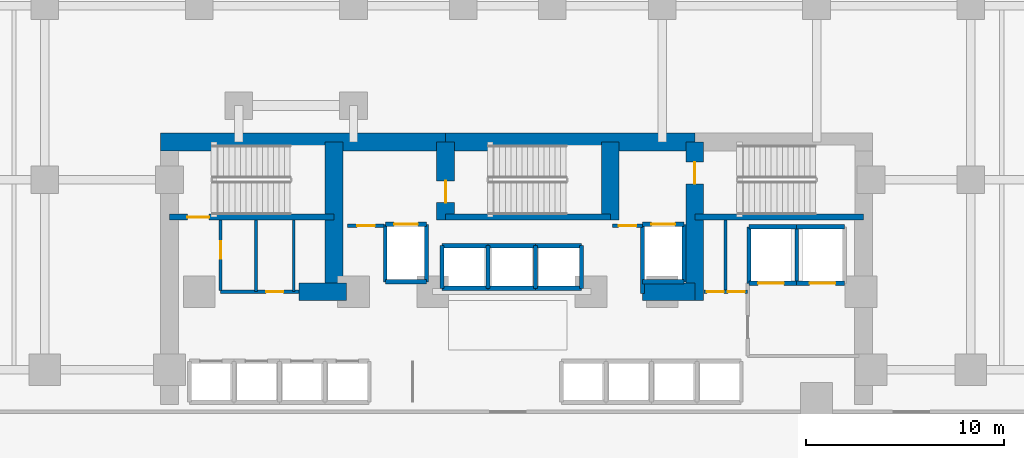
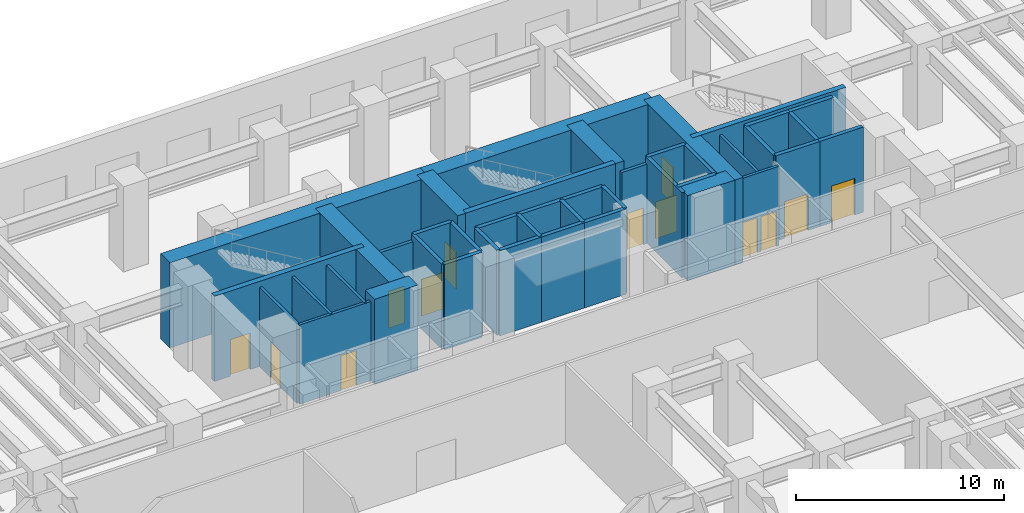
# One storey, part 14 of 19: 43 walls, 13 doors, 13 openings.
"""IFC4 building model written with IfcOpenShell, lengths in metres."""

from ifc_helpers import new_model, si_unit, direction, frame, frame_2d, origin, place, context, subcontext, project, spatial, rectangle, extrude, material, layer, layer_set, type_object, element, fill, save


model = new_model("IFC4")

# Units and contexts
model_context = context("Model", 3, precision=1e-05, world=origin(), true_north=direction((0.0, 1.0)))
body_context = subcontext(model_context, "Body", "Model", "MODEL_VIEW")
ifc_project = project(units=[si_unit("LENGTHUNIT", "METRE"), si_unit("AREAUNIT", "SQUARE_METRE"), si_unit("VOLUMEUNIT", "CUBIC_METRE"), si_unit("PLANEANGLEUNIT", "RADIAN"), si_unit("MASSUNIT", "GRAM", prefix="KILO")], contexts=[model_context])

# Site, building, storey
site_placement = place(None, origin())
site = spatial("IfcSite", under=ifc_project, at=site_placement, CompositionType="ELEMENT")
building_placement = place(site_placement, origin())
building = spatial("IfcBuilding", under=site, at=building_placement, Name="Kestravale Grand Hotel", CompositionType="ELEMENT")
storey_placement = place(building_placement, frame((0.0, 0.0, 5.39990234375)))
storey = spatial("IfcBuildingStorey", under=building, at=storey_placement, Name="L01", CompositionType="ELEMENT", Elevation=5.39990234375)

# Walls
ifc_material_1 = material(Name="Concrete f'c 70 MPa", Category="concrete")
ifc_layer_1 = layer(ifc_material_1, 0.89990234375)
ifc_layer_set_1 = layer_set([ifc_layer_1], Name="EW-CORE-900")
wall_type_1 = type_object("IfcWallType", Name="EW-CORE-900", PredefinedType="SHEAR", material=ifc_layer_set_1)
wall_1_placement = place(storey_placement, frame((21.449951171875, 40.320068359375, 0.0), z_axis=(0.0, 0.0, 1.0), x_axis=(1.0, 0.0, 0.0)))
element("IfcWall", 1, at=wall_1_placement, inside=storey, type_object=wall_type_1, Name="L01 core shear wall N1", PredefinedType="SHEAR", context=body_context, shape_type="SweptSolid", body=[
    extrude(rectangle(XDim=14.400146484375, YDim=0.89990234375, at=frame_2d((7.2001953125, 0.0))), origin(), (0.0, 0.0, 1.0), 5.0),
])
wall_2_placement = place(storey_placement, frame((35.85009765625, 40.320068359375, 0.0), z_axis=(0.0, 0.0, 1.0), x_axis=(1.0, 0.0, 0.0)))
element("IfcWall", 2, at=wall_2_placement, inside=storey, type_object=wall_type_1, Name="L01 core shear wall N2", PredefinedType="SHEAR", context=body_context, shape_type="SweptSolid", body=[
    extrude(rectangle(XDim=12.599853515625, YDim=0.89990234375, at=frame_2d((6.2998046875, 0.0))), origin(), (0.0, 0.0, 1.0), 5.0),
])
wall_3_placement = place(storey_placement, frame((28.449951171875, 32.75, 0.0), z_axis=(0.0, 0.0, 1.0), x_axis=(1.0, 0.0, 0.0)))
element("IfcWall", 3, at=wall_3_placement, inside=storey, type_object=wall_type_1, Name="L01 core shear wall S1", PredefinedType="SHEAR", context=body_context, shape_type="SweptSolid", body=[
    extrude(rectangle(XDim=2.400146484375, YDim=0.89990234375, at=frame_2d((1.2001953125, 0.0))), origin(), (0.0, 0.0, 1.0), 5.0),
])
wall_4_placement = place(storey_placement, frame((45.81005859375, 32.75, 0.0), z_axis=(0.0, 0.0, 1.0), x_axis=(1.0, 0.0, 0.0)))
element("IfcWall", 4, at=wall_4_placement, inside=storey, type_object=wall_type_1, Name="L01 core shear wall S2", PredefinedType="SHEAR", context=body_context, shape_type="SweptSolid", body=[
    extrude(rectangle(XDim=2.639892578125, YDim=0.89990234375, at=frame_2d((1.31982421875, 0.0))), origin(), (0.0, 0.0, 1.0), 5.0),
])
wall_5_placement = place(storey_placement, frame((30.219970703125, 33.199951171875, 0.0), z_axis=(0.0, 0.0, 1.0), x_axis=(0.0, 1.0, 0.0)))
element("IfcWall", 5, at=wall_5_placement, inside=storey, type_object=wall_type_1, Name="L01 core shear wall X1", PredefinedType="SHEAR", context=body_context, shape_type="SweptSolid", body=[
    extrude(rectangle(XDim=7.1201171875, YDim=0.89990234375, at=frame_2d((3.56005859375, 0.0))), origin(), (0.0, 0.0, 1.0), 5.0),
])

# Wall, opening, door
wall_6_placement = place(storey_placement, frame((35.85009765625, 36.3701171875, 0.0), z_axis=(0.0, 0.0, 1.0), x_axis=(0.0, 1.0, 0.0)))
wall_6 = element("IfcWall", 6, at=wall_6_placement, inside=storey, type_object=wall_type_1, Name="L01 core shear wall X2", PredefinedType="SHEAR", context=body_context, shape_type="SweptSolid", body=[
    extrude(rectangle(XDim=3.949951171875, YDim=0.89990234375, at=frame_2d((1.97509765625, 0.0))), origin(), (0.0, 0.0, 1.0), 5.0),
])
opening_1_placement = place(wall_6_placement, frame((0.8798828125, 0.0, 0.0)))
opening_1 = element("IfcOpeningElement", 7, at=opening_1_placement, cuts=wall_6, Name="Opening D-ST-1100", PredefinedType="OPENING", context=body_context, shape_type="SweptSolid", body=[
    extrude(rectangle(XDim=1.10009765625, YDim=2.14990234375, at=frame_2d((0.550048828125, 1.074951171875))), frame((0.0, 0.4599609375, 0.0), z_axis=(0.0, -1.0, 0.0), x_axis=(1.0, 0.0, 0.0)), (0.0, 0.0, 1.0), 0.919921875),
])
ifc_material_2 = material(Name="Galvanised 90-minute fire-rated steel stair door", Category="steel")
door_type_1 = type_object("IfcDoorType", Name="D-ST-1100", OperationType="NOTDEFINED", PredefinedType="DOOR", material=ifc_material_2)
door_1_placement = place(opening_1_placement, origin())
door_1 = element("IfcDoor", 8, at=door_1_placement, inside=storey, type_object=door_type_1, Name="L01 Stair ST-2 FSAE fire door", OperationType="SINGLE_SWING_RIGHT", OverallHeight=2.14990234375, OverallWidth=1.10009765625, PredefinedType="DOOR", context=body_context, shape_type="SweptSolid", body=[
    extrude(rectangle(XDim=1.10009765625, YDim=2.14990234375, at=frame_2d((0.550048828125, 1.074951171875))), frame((0.0, 0.02490234375, 0.0), z_axis=(0.0, -1.0, 0.0), x_axis=(1.0, 0.0, 0.0)), (0.0, 0.0, 1.0), 0.050048828125),
])
fill(opening_1, door_1)

# Wall
wall_7_placement = place(storey_placement, frame((44.179931640625, 36.3701171875, 0.0), z_axis=(0.0, 0.0, 1.0), x_axis=(0.0, 1.0, 0.0)))
element("IfcWall", 9, at=wall_7_placement, inside=storey, type_object=wall_type_1, Name="L01 core shear wall X3", PredefinedType="SHEAR", context=body_context, shape_type="SweptSolid", body=[
    extrude(rectangle(XDim=3.949951171875, YDim=0.89990234375, at=frame_2d((1.97509765625, 0.0))), origin(), (0.0, 0.0, 1.0), 5.0),
])

# Wall, opening, door
wall_8_placement = place(storey_placement, frame((48.449951171875, 32.300048828125, 0.0), z_axis=(0.0, 0.0, 1.0), x_axis=(0.0, 1.0, 0.0)))
wall_8 = element("IfcWall", 10, at=wall_8_placement, inside=storey, type_object=wall_type_1, Name="L01 core shear wall X4", PredefinedType="SHEAR", context=body_context, shape_type="SweptSolid", body=[
    extrude(rectangle(XDim=8.02001953125, YDim=0.89990234375, at=frame_2d((4.010009765625, 0.0))), origin(), (0.0, 0.0, 1.0), 5.0),
])
opening_2_placement = place(wall_8_placement, frame((5.89990234375, 0.0, 0.0)))
opening_2 = element("IfcOpeningElement", 11, at=opening_2_placement, cuts=wall_8, Name="Opening D-ST-1100", PredefinedType="OPENING", context=body_context, shape_type="SweptSolid", body=[
    extrude(rectangle(XDim=1.10009765625, YDim=2.14990234375, at=frame_2d((0.550048828125, 1.074951171875))), frame((0.0, 0.4599609375, 0.0), z_axis=(0.0, -1.0, 0.0), x_axis=(1.0, 0.0, 0.0)), (0.0, 0.0, 1.0), 0.919921875),
])
door_2_placement = place(opening_2_placement, origin())
door_2 = element("IfcDoor", 12, at=door_2_placement, inside=storey, type_object=door_type_1, Name="L01 Stair ST-3 FSAE fire door", OperationType="SINGLE_SWING_RIGHT", OverallHeight=2.14990234375, OverallWidth=1.10009765625, PredefinedType="DOOR", context=body_context, shape_type="SweptSolid", body=[
    extrude(rectangle(XDim=1.10009765625, YDim=2.14990234375, at=frame_2d((0.550048828125, 1.074951171875))), frame((0.0, 0.02490234375, 0.0), z_axis=(0.0, -1.0, 0.0), x_axis=(1.0, 0.0, 0.0)), (0.0, 0.0, 1.0), 0.050048828125),
])
fill(opening_2, door_2)

ifc_material_3 = material(Name="Concrete f'c 45 MPa", Category="concrete")
ifc_layer_2 = layer(ifc_material_3, 0.300048828125)
ifc_layer_set_2 = layer_set([ifc_layer_2], Name="EW-STAIR-300")
wall_type_2 = type_object("IfcWallType", Name="EW-STAIR-300", PredefinedType="SHEAR", material=ifc_layer_set_2)
wall_9_placement = place(storey_placement, frame((21.89990234375, 36.52001953125, 0.0), z_axis=(0.0, 0.0, 1.0), x_axis=(1.0, 0.0, 0.0)))
wall_9 = element("IfcWall", 13, at=wall_9_placement, inside=storey, type_object=wall_type_2, Name="L01 stair enclosure shear wall SST1", PredefinedType="SHEAR", context=body_context, shape_type="SweptSolid", body=[
    extrude(rectangle(XDim=8.320068359375, YDim=0.300048828125, at=frame_2d((4.16015625, 0.0))), origin(), (0.0, 0.0, 1.0), 5.0),
])
opening_3_placement = place(wall_9_placement, frame((0.89990234375, 0.0, 0.0)))
opening_3 = element("IfcOpeningElement", 14, at=opening_3_placement, cuts=wall_9, Name="Opening D-ST-1100", PredefinedType="OPENING", context=body_context, shape_type="SweptSolid", body=[
    extrude(rectangle(XDim=1.10009765625, YDim=2.14990234375, at=frame_2d((0.550048828125, 1.074951171875))), frame((0.0, 0.159912109375, 0.0), z_axis=(0.0, -1.0, 0.0), x_axis=(1.0, 0.0, 0.0)), (0.0, 0.0, 1.0), 0.320068359375),
])
door_3_placement = place(opening_3_placement, origin())
door_3 = element("IfcDoor", 15, at=door_3_placement, inside=storey, type_object=door_type_1, Name="L01 Stair ST-1 fire door", OperationType="SINGLE_SWING_RIGHT", OverallHeight=2.14990234375, OverallWidth=1.10009765625, PredefinedType="DOOR", context=body_context, shape_type="SweptSolid", body=[
    extrude(rectangle(XDim=1.10009765625, YDim=2.14990234375, at=frame_2d((0.550048828125, 1.074951171875))), frame((0.0, 0.02490234375, 0.0), z_axis=(0.0, -1.0, 0.0), x_axis=(1.0, 0.0, 0.0)), (0.0, 0.0, 1.0), 0.050048828125),
])
fill(opening_3, door_3)

# Walls
wall_10_placement = place(storey_placement, frame((35.85009765625, 36.52001953125, 0.0), z_axis=(0.0, 0.0, 1.0), x_axis=(1.0, 0.0, 0.0)))
element("IfcWall", 16, at=wall_10_placement, inside=storey, type_object=wall_type_2, Name="L01 stair enclosure shear wall SST2", PredefinedType="SHEAR", context=body_context, shape_type="SweptSolid", body=[
    extrude(rectangle(XDim=8.329833984375, YDim=0.300048828125, at=frame_2d((4.1650390625, 0.0))), origin(), (0.0, 0.0, 1.0), 5.0),
])
wall_11_placement = place(storey_placement, frame((48.449951171875, 36.52001953125, 0.0), z_axis=(0.0, 0.0, 1.0), x_axis=(1.0, 0.0, 0.0)))
element("IfcWall", 17, at=wall_11_placement, inside=storey, type_object=wall_type_2, Name="L01 stair enclosure shear wall SST3", PredefinedType="SHEAR", context=body_context, shape_type="SweptSolid", body=[
    extrude(rectangle(XDim=8.52001953125, YDim=0.300048828125, at=frame_2d((4.260009765625, 0.0))), origin(), (0.0, 0.0, 1.0), 5.0),
])

# Wall, opening, door
ifc_material_4 = material(Name="Acoustic fire-rated gypsum board partition", Category="other")
ifc_layer_3 = layer(ifc_material_4, 0.159912109375)
ifc_layer_set_3 = layer_set([ifc_layer_3], Name="IW-CORR-160")
wall_type_3 = type_object("IfcWallType", Name="IW-CORR-160", PredefinedType="PARTITIONING", material=ifc_layer_set_3)
wall_12_placement = place(storey_placement, frame((24.47998046875, 32.800048828125, 0.0), z_axis=(0.0, 0.0, 1.0), x_axis=(0.0, 1.0, 0.0)))
wall_12 = element("IfcWall", 18, at=wall_12_placement, inside=storey, type_object=wall_type_3, Name="L01 west core vestibule wall", PredefinedType="PARTITIONING", context=body_context, shape_type="SweptSolid", body=[
    extrude(rectangle(XDim=3.570068359375, YDim=0.159912109375, at=frame_2d((1.78515625, 0.0))), origin(), (0.0, 0.0, 1.0), 4.650146484375),
])
opening_4_placement = place(wall_12_placement, frame((1.603515625, 0.0, 0.0)))
opening_4 = element("IfcOpeningElement", 19, at=opening_4_placement, cuts=wall_12, Name="Opening D-SH-900", PredefinedType="OPENING", context=body_context, shape_type="SweptSolid", body=[
    extrude(rectangle(XDim=0.89990234375, YDim=2.10009765625, at=frame_2d((0.449951171875, 1.050048828125))), frame((0.0, 0.08984375, 0.0), z_axis=(0.0, -1.0, 0.0), x_axis=(1.0, 0.0, 0.0)), (0.0, 0.0, 1.0), 0.179931640625),
])
ifc_material_5 = material(Name="Galvanised 90-minute shaft and service fire door", Category="steel")
door_type_2 = type_object("IfcDoorType", Name="D-SH-900", OperationType="NOTDEFINED", PredefinedType="DOOR", material=ifc_material_5)
door_4_placement = place(opening_4_placement, origin())
door_4 = element("IfcDoor", 20, at=door_4_placement, inside=storey, type_object=door_type_2, Name="D-L01-HK", OperationType="SINGLE_SWING_RIGHT", OverallHeight=2.10009765625, OverallWidth=0.89990234375, PredefinedType="DOOR", context=body_context, shape_type="SweptSolid", body=[
    extrude(rectangle(XDim=0.89990234375, YDim=2.10009765625, at=frame_2d((0.449951171875, 1.050048828125))), frame((0.0, 0.02490234375, 0.0), z_axis=(0.0, -1.0, 0.0), x_axis=(1.0, 0.0, 0.0)), (0.0, 0.0, 1.0), 0.050048828125),
])
fill(opening_4, door_4)

wall_13_placement = place(storey_placement, frame((24.47998046875, 32.75, 0.0), z_axis=(0.0, 0.0, 1.0), x_axis=(1.0, 0.0, 0.0)))
wall_13 = element("IfcWall", 21, at=wall_13_placement, inside=storey, type_object=wall_type_3, Name="W-L01-CWS", PredefinedType="PARTITIONING", context=body_context, shape_type="SweptSolid", body=[
    extrude(rectangle(XDim=3.969970703125, YDim=0.159912109375, at=frame_2d((1.98486328125, 0.0))), origin(), (0.0, 0.0, 1.0), 4.650146484375),
])
opening_5_placement = place(wall_13_placement, frame((2.31005859375, 0.0, 0.0)))
opening_5 = element("IfcOpeningElement", 22, at=opening_5_placement, cuts=wall_13, Name="Opening D-SH-860", PredefinedType="OPENING", context=body_context, shape_type="SweptSolid", body=[
    extrude(rectangle(XDim=0.860107421875, YDim=2.050048828125, at=frame_2d((0.43017578125, 1.02490234375))), frame((0.0, 0.08984375, 0.0), z_axis=(0.0, -1.0, 0.0), x_axis=(1.0, 0.0, 0.0)), (0.0, 0.0, 1.0), 0.179931640625),
])
ifc_material_6 = material(Name="Galvanised 90-minute riser fire door", Category="steel")
door_type_3 = type_object("IfcDoorType", Name="D-SH-860", OperationType="NOTDEFINED", PredefinedType="DOOR", material=ifc_material_6)
door_5_placement = place(opening_5_placement, origin())
door_5 = element("IfcDoor", 23, at=door_5_placement, inside=storey, type_object=door_type_3, Name="D-L01-IDF", OperationType="SINGLE_SWING_RIGHT", OverallHeight=2.050048828125, OverallWidth=0.860107421875, PredefinedType="DOOR", context=body_context, shape_type="SweptSolid", body=[
    extrude(rectangle(XDim=0.860107421875, YDim=2.050048828125, at=frame_2d((0.43017578125, 1.02490234375))), frame((0.0, 0.02490234375, 0.0), z_axis=(0.0, -1.0, 0.0), x_axis=(1.0, 0.0, 0.0)), (0.0, 0.0, 1.0), 0.050048828125),
])
fill(opening_5, door_5)

# Wall, openings, doors
wall_14_placement = place(storey_placement, frame((48.919921875, 32.75, 0.0), z_axis=(0.0, 0.0, 1.0), x_axis=(1.0, 0.0, 0.0)))
wall_14 = element("IfcWall", 24, at=wall_14_placement, inside=storey, type_object=wall_type_3, Name="W-L01-CES", PredefinedType="PARTITIONING", context=body_context, shape_type="SweptSolid", body=[
    extrude(rectangle(XDim=2.2001953125, YDim=0.159912109375, at=frame_2d((1.10009765625, 0.0))), origin(), (0.0, 0.0, 1.0), 4.650146484375),
])
opening_6_placement = place(wall_14_placement, frame((0.139892578125, 0.0, 0.0)))
opening_6 = element("IfcOpeningElement", 25, at=opening_6_placement, cuts=wall_14, Name="Opening D-SH-860", PredefinedType="OPENING", context=body_context, shape_type="SweptSolid", body=[
    extrude(rectangle(XDim=0.860107421875, YDim=2.050048828125, at=frame_2d((0.43017578125, 1.02490234375))), frame((0.0, 0.08984375, 0.0), z_axis=(0.0, -1.0, 0.0), x_axis=(1.0, 0.0, 0.0)), (0.0, 0.0, 1.0), 0.179931640625),
])
opening_7_placement = place(wall_14_placement, frame((1.199951171875, 0.0, 0.0)))
opening_7 = element("IfcOpeningElement", 26, at=opening_7_placement, cuts=wall_14, Name="Opening D-SH-860", PredefinedType="OPENING", context=body_context, shape_type="SweptSolid", body=[
    extrude(rectangle(XDim=0.860107421875, YDim=2.050048828125, at=frame_2d((0.43017578125, 1.02490234375))), frame((0.0, 0.08984375, 0.0), z_axis=(0.0, -1.0, 0.0), x_axis=(1.0, 0.0, 0.0)), (0.0, 0.0, 1.0), 0.179931640625),
])
door_6_placement = place(opening_6_placement, origin())
door_6 = element("IfcDoor", 27, at=door_6_placement, inside=storey, type_object=door_type_3, Name="L01 CSTO1 door", OperationType="SINGLE_SWING_LEFT", OverallHeight=2.050048828125, OverallWidth=0.860107421875, PredefinedType="DOOR", context=body_context, shape_type="SweptSolid", body=[
    extrude(rectangle(XDim=0.860107421875, YDim=2.050048828125, at=frame_2d((0.43017578125, 1.02490234375))), frame((0.0, 0.02490234375, 0.0), z_axis=(0.0, -1.0, 0.0), x_axis=(1.0, 0.0, 0.0)), (0.0, 0.0, 1.0), 0.050048828125),
])
fill(opening_6, door_6)
door_7_placement = place(opening_7_placement, origin())
door_7 = element("IfcDoor", 28, at=door_7_placement, inside=storey, type_object=door_type_3, Name="L01 CSTO2 door", OperationType="SINGLE_SWING_RIGHT", OverallHeight=2.050048828125, OverallWidth=0.860107421875, PredefinedType="DOOR", context=body_context, shape_type="SweptSolid", body=[
    extrude(rectangle(XDim=0.860107421875, YDim=2.050048828125, at=frame_2d((0.43017578125, 1.02490234375))), frame((0.0, 0.02490234375, 0.0), z_axis=(0.0, -1.0, 0.0), x_axis=(1.0, 0.0, 0.0)), (0.0, 0.0, 1.0), 0.050048828125),
])
fill(opening_7, door_7)

# Wall, opening, door
ifc_material_7 = material(Name="Fire-rated gypsum board on steel studs with mineral wool", Category="steel")
ifc_layer_4 = layer(ifc_material_7, 0.179931640625)
ifc_layer_set_4 = layer_set([ifc_layer_4], Name="IW-FSAE-180")
wall_type_4 = type_object("IfcWallType", Name="IW-FSAE-180", PredefinedType="PARTITIONING", material=ifc_layer_set_4)
wall_15_placement = place(storey_placement, frame((30.89990234375, 36.080078125, 0.0), z_axis=(0.0, 0.0, 1.0), x_axis=(1.0, 0.0, 0.0)))
wall_15 = element("IfcWall", 29, at=wall_15_placement, inside=storey, type_object=wall_type_4, Name="L01 FSAE Lobby 1 smoke barrier", PredefinedType="PARTITIONING", context=body_context, shape_type="SweptSolid", body=[
    extrude(rectangle(XDim=1.85009765625, YDim=0.179931640625, at=frame_2d((0.925048828125, 0.0))), origin(), (0.0, 0.0, 1.0), 4.650146484375),
])
opening_8_placement = place(wall_15_placement, frame((0.47998046875, 0.0, 0.0)))
opening_8 = element("IfcOpeningElement", 30, at=opening_8_placement, cuts=wall_15, Name="Opening D-FSAE-1000", PredefinedType="OPENING", context=body_context, shape_type="SweptSolid", body=[
    extrude(rectangle(XDim=0.89990234375, YDim=2.14990234375, at=frame_2d((0.449951171875, 1.074951171875))), frame((0.0, 0.099853515625, 0.0), z_axis=(0.0, -1.0, 0.0), x_axis=(1.0, 0.0, 0.0)), (0.0, 0.0, 1.0), 0.199951171875),
])
ifc_material_8 = material(Name="Smoke-gasketed FSAE lobby fire door", Category="steel")
door_type_4 = type_object("IfcDoorType", Name="D-FSAE-1000", OperationType="NOTDEFINED", PredefinedType="DOOR", material=ifc_material_8)
door_8_placement = place(opening_8_placement, origin())
door_8 = element("IfcDoor", 31, at=door_8_placement, inside=storey, type_object=door_type_4, Name="L01 FSAE Lobby 1 fire door", OperationType="SINGLE_SWING_RIGHT", OverallHeight=2.14990234375, OverallWidth=0.89990234375, PredefinedType="DOOR", context=body_context, shape_type="SweptSolid", body=[
    extrude(rectangle(XDim=0.89990234375, YDim=2.14990234375, at=frame_2d((0.449951171875, 1.074951171875))), frame((0.0, 0.02490234375, 0.0), z_axis=(0.0, -1.0, 0.0), x_axis=(1.0, 0.0, 0.0)), (0.0, 0.0, 1.0), 0.050048828125),
])
fill(opening_8, door_8)

wall_16_placement = place(storey_placement, frame((44.300048828125, 36.080078125, 0.0), z_axis=(0.0, 0.0, 1.0), x_axis=(1.0, 0.0, 0.0)))
wall_16 = element("IfcWall", 32, at=wall_16_placement, inside=storey, type_object=wall_type_4, Name="L01 FSAE Lobby 2 smoke barrier", PredefinedType="PARTITIONING", context=body_context, shape_type="SweptSolid", body=[
    extrude(rectangle(XDim=1.5, YDim=0.179931640625, at=frame_2d((0.75, 0.0))), origin(), (0.0, 0.0, 1.0), 4.650146484375),
])
opening_9_placement = place(wall_16_placement, frame((0.300048828125, 0.0, 0.0)))
opening_9 = element("IfcOpeningElement", 33, at=opening_9_placement, cuts=wall_16, Name="Opening D-FSAE-1000", PredefinedType="OPENING", context=body_context, shape_type="SweptSolid", body=[
    extrude(rectangle(XDim=0.89990234375, YDim=2.14990234375, at=frame_2d((0.449951171875, 1.074951171875))), frame((0.0, 0.099853515625, 0.0), z_axis=(0.0, -1.0, 0.0), x_axis=(1.0, 0.0, 0.0)), (0.0, 0.0, 1.0), 0.199951171875),
])
door_9_placement = place(opening_9_placement, origin())
door_9 = element("IfcDoor", 34, at=door_9_placement, inside=storey, type_object=door_type_4, Name="L01 FSAE Lobby 2 fire door", OperationType="SINGLE_SWING_LEFT", OverallHeight=2.14990234375, OverallWidth=0.89990234375, PredefinedType="DOOR", context=body_context, shape_type="SweptSolid", body=[
    extrude(rectangle(XDim=0.89990234375, YDim=2.14990234375, at=frame_2d((0.449951171875, 1.074951171875))), frame((0.0, 0.02490234375, 0.0), z_axis=(0.0, -1.0, 0.0), x_axis=(1.0, 0.0, 0.0)), (0.0, 0.0, 1.0), 0.050048828125),
])
fill(opening_9, door_9)

# Walls
ifc_material_9 = material(Name="Concrete f'c 45 MPa", Category="concrete")
ifc_layer_5 = layer(ifc_material_9, 0.199951171875)
ifc_layer_set_5 = layer_set([ifc_layer_5], Name="IW-SHAFT-200")
wall_type_5 = type_object("IfcWallType", Name="IW-SHAFT-200", PredefinedType="SHEAR", material=ifc_layer_set_5)
for number, where, z_axis, x_axis, name in (
    (35, (35.679931640625, 32.919921875, 0.0), (0.0, 0.0, 1.0), (0.0, 1.0, 0.0), "L01 PL-X1 west shaft wall"),
    (36, (38.0, 32.919921875, 0.0), (0.0, 0.0, 1.0), (0.0, 1.0, 0.0), "L01 PL-X2 west shaft wall"),
    (37, (40.39990234375, 32.919921875, 0.0), (0.0, 0.0, 1.0), (0.0, 1.0, 0.0), "L01 PL-X3 west shaft wall"),
    (38, (42.719970703125, 32.919921875, 0.0), (0.0, 0.0, 1.0), (0.0, 1.0, 0.0), "L01 PL-X3 east shaft wall"),
):
    element("IfcWall", number, at=place(storey_placement, frame(where, z_axis=z_axis, x_axis=x_axis)), inside=storey, type_object=wall_type_5, Name=name, PredefinedType="SHEAR", context=body_context, shape_type="SweptSolid", body=[
        extrude(rectangle(XDim=2.16015625, YDim=0.199951171875, at=frame_2d((1.080078125, 0.0))), origin(), (0.0, 0.0, 1.0), 5.0),
    ])
for number, where, z_axis, x_axis, name in (
    (39, (51.179931640625, 33.169921875, 0.0), (0.0, 0.0, 1.0), (0.0, 1.0, 0.0), "L01 SL-1 west shaft wall"),
    (40, (53.60009765625, 33.169921875, 0.0), (0.0, 0.0, 1.0), (0.0, 1.0, 0.0), "L01 SL-2 west shaft wall"),
):
    element("IfcWall", number, at=place(storey_placement, frame(where, z_axis=z_axis, x_axis=x_axis)), inside=storey, type_object=wall_type_5, Name=name, PredefinedType="SHEAR", context=body_context, shape_type="SweptSolid", body=[
        extrude(rectangle(XDim=2.860107421875, YDim=0.199951171875, at=frame_2d((1.43017578125, 0.0))), origin(), (0.0, 0.0, 1.0), 5.0),
    ])
for number, where, z_axis, x_axis, name in (
    (41, (32.804931640625, 33.2451171875, 0.0), (0.0, 0.0, 1.0), (0.0, 1.0, 0.0), "L01 FL-1 west shaft wall"),
    (42, (34.89501953125, 33.2451171875, 0.0), (0.0, 0.0, 1.0), (0.0, 1.0, 0.0), "L01 FL-1 east shaft wall"),
):
    element("IfcWall", number, at=place(storey_placement, frame(where, z_axis=z_axis, x_axis=x_axis)), inside=storey, type_object=wall_type_5, Name=name, PredefinedType="SHEAR", context=body_context, shape_type="SweptSolid", body=[
        extrude(rectangle(XDim=2.909912109375, YDim=0.199951171875, at=frame_2d((1.455078125, 0.0))), origin(), (0.0, 0.0, 1.0), 5.0),
    ])
wall_17_placement = place(storey_placement, frame((45.804931640625, 32.64990234375, 0.0), z_axis=(0.0, 0.0, 1.0), x_axis=(0.0, 1.0, 0.0)))
element("IfcWall", 43, at=wall_17_placement, inside=storey, type_object=wall_type_5, Name="L01 FL-2 west shaft wall", PredefinedType="SHEAR", context=body_context, shape_type="SweptSolid", body=[
    extrude(rectangle(XDim=3.505126953125, YDim=0.199951171875, at=frame_2d((1.75244140625, 0.0))), origin(), (0.0, 0.0, 1.0), 5.0),
])
wall_18_placement = place(storey_placement, frame((47.89501953125, 33.2451171875, 0.0), z_axis=(0.0, 0.0, 1.0), x_axis=(0.0, 1.0, 0.0)))
element("IfcWall", 44, at=wall_18_placement, inside=storey, type_object=wall_type_5, Name="L01 FL-2 east shaft wall", PredefinedType="SHEAR", context=body_context, shape_type="SweptSolid", body=[
    extrude(rectangle(XDim=2.909912109375, YDim=0.199951171875, at=frame_2d((1.455078125, 0.0))), origin(), (0.0, 0.0, 1.0), 5.0),
])
ifc_material_10 = material(Name="Concrete f'c 45 MPa", Category="concrete")
ifc_layer_6 = layer(ifc_material_10, 0.219970703125)
ifc_layer_set_6 = layer_set([ifc_layer_6], Name="IW-SHAFT-220")
wall_type_6 = type_object("IfcWallType", Name="IW-SHAFT-220", PredefinedType="SHEAR", material=ifc_layer_set_6)
for number, where, z_axis, x_axis, name in (
    (45, (35.679931640625, 35.080078125, 0.0), (0.0, 0.0, 1.0), (1.0, 0.0, 0.0), "L01 PL-X1 north shaft wall"),
    (46, (35.679931640625, 32.919921875, 0.0), (0.0, 0.0, 1.0), (1.0, 0.0, 0.0), "L01 PL-X1 south shaft wall"),
):
    element("IfcWall", number, at=place(storey_placement, frame(where, z_axis=z_axis, x_axis=x_axis)), inside=storey, type_object=wall_type_6, Name=name, PredefinedType="SHEAR", context=body_context, shape_type="SweptSolid", body=[
        extrude(rectangle(XDim=2.320068359375, YDim=0.219970703125, at=frame_2d((1.16015625, 0.0))), origin(), (0.0, 0.0, 1.0), 5.0),
    ])
for number, where, z_axis, x_axis, name in (
    (47, (38.0, 35.080078125, 0.0), (0.0, 0.0, 1.0), (1.0, 0.0, 0.0), "L01 PL-X2 north shaft wall"),
    (48, (38.0, 32.919921875, 0.0), (0.0, 0.0, 1.0), (1.0, 0.0, 0.0), "L01 PL-X2 south shaft wall"),
):
    element("IfcWall", number, at=place(storey_placement, frame(where, z_axis=z_axis, x_axis=x_axis)), inside=storey, type_object=wall_type_6, Name=name, PredefinedType="SHEAR", context=body_context, shape_type="SweptSolid", body=[
        extrude(rectangle(XDim=2.39990234375, YDim=0.219970703125, at=frame_2d((1.199951171875, 0.0))), origin(), (0.0, 0.0, 1.0), 5.0),
    ])
for number, where, z_axis, x_axis, name in (
    (49, (40.39990234375, 35.080078125, 0.0), (0.0, 0.0, 1.0), (1.0, 0.0, 0.0), "L01 PL-X3 north shaft wall"),
    (50, (40.39990234375, 32.919921875, 0.0), (0.0, 0.0, 1.0), (1.0, 0.0, 0.0), "L01 PL-X3 south shaft wall"),
):
    element("IfcWall", number, at=place(storey_placement, frame(where, z_axis=z_axis, x_axis=x_axis)), inside=storey, type_object=wall_type_6, Name=name, PredefinedType="SHEAR", context=body_context, shape_type="SweptSolid", body=[
        extrude(rectangle(XDim=2.320068359375, YDim=0.219970703125, at=frame_2d((1.16015625, 0.0))), origin(), (0.0, 0.0, 1.0), 5.0),
    ])
wall_19_placement = place(storey_placement, frame((51.179931640625, 36.030029296875, 0.0), z_axis=(0.0, 0.0, 1.0), x_axis=(1.0, 0.0, 0.0)))
element("IfcWall", 51, at=wall_19_placement, inside=storey, type_object=wall_type_6, Name="L01 SL-1 north shaft wall", PredefinedType="SHEAR", context=body_context, shape_type="SweptSolid", body=[
    extrude(rectangle(XDim=2.420166015625, YDim=0.219970703125, at=frame_2d((1.2099609375, 0.0))), origin(), (0.0, 0.0, 1.0), 5.0),
])

# Wall, opening, door
wall_20_placement = place(storey_placement, frame((51.179931640625, 33.169921875, 0.0), z_axis=(0.0, 0.0, 1.0), x_axis=(1.0, 0.0, 0.0)))
wall_20 = element("IfcWall", 52, at=wall_20_placement, inside=storey, type_object=wall_type_6, Name="L01 SL-1 south shaft wall", PredefinedType="SHEAR", context=body_context, shape_type="SweptSolid", body=[
    extrude(rectangle(XDim=2.420166015625, YDim=0.219970703125, at=frame_2d((1.2099609375, 0.0))), origin(), (0.0, 0.0, 1.0), 5.0),
])
opening_10_placement = place(wall_20_placement, frame((0.469970703125, 0.0, 0.0)))
opening_10 = element("IfcOpeningElement", 53, at=opening_10_placement, cuts=wall_20, Name="Opening LD-SVC-1300", PredefinedType="OPENING", context=body_context, shape_type="SweptSolid", body=[
    extrude(rectangle(XDim=1.300048828125, YDim=2.14990234375, at=frame_2d((0.64990234375, 1.074951171875))), frame((0.0, 0.119873046875, 0.0), z_axis=(0.0, -1.0, 0.0), x_axis=(1.0, 0.0, 0.0)), (0.0, 0.0, 1.0), 0.239990234375),
])
ifc_material_11 = material(Name="Heavy-duty service sliding elevator landing door", Category="steel")
door_type_5 = type_object("IfcDoorType", Name="LD-SVC-1300", OperationType="NOTDEFINED", PredefinedType="DOOR", material=ifc_material_11)
door_10_placement = place(opening_10_placement, origin())
door_10 = element("IfcDoor", 54, at=door_10_placement, inside=storey, type_object=door_type_5, Name="L01 SL-1 elevator landing sliding door", OperationType="DOUBLE_DOOR_SLIDING", OverallHeight=2.14990234375, OverallWidth=1.300048828125, PredefinedType="DOOR", context=body_context, shape_type="SweptSolid", body=[
    extrude(rectangle(XDim=1.300048828125, YDim=2.14990234375, at=frame_2d((0.64990234375, 1.074951171875))), frame((0.0, 0.02490234375, 0.0), z_axis=(0.0, -1.0, 0.0), x_axis=(1.0, 0.0, 0.0)), (0.0, 0.0, 1.0), 0.050048828125),
])
fill(opening_10, door_10)

# Wall
wall_21_placement = place(storey_placement, frame((53.60009765625, 36.030029296875, 0.0), z_axis=(0.0, 0.0, 1.0), x_axis=(1.0, 0.0, 0.0)))
element("IfcWall", 55, at=wall_21_placement, inside=storey, type_object=wall_type_6, Name="L01 SL-2 north shaft wall", PredefinedType="SHEAR", context=body_context, shape_type="SweptSolid", body=[
    extrude(rectangle(XDim=2.419921875, YDim=0.219970703125, at=frame_2d((1.2099609375, 0.0))), origin(), (0.0, 0.0, 1.0), 5.0),
])

# Wall, opening, door
wall_22_placement = place(storey_placement, frame((53.60009765625, 33.169921875, 0.0), z_axis=(0.0, 0.0, 1.0), x_axis=(1.0, 0.0, 0.0)))
wall_22 = element("IfcWall", 56, at=wall_22_placement, inside=storey, type_object=wall_type_6, Name="L01 SL-2 south shaft wall", PredefinedType="SHEAR", context=body_context, shape_type="SweptSolid", body=[
    extrude(rectangle(XDim=2.419921875, YDim=0.219970703125, at=frame_2d((1.2099609375, 0.0))), origin(), (0.0, 0.0, 1.0), 5.0),
])
opening_11_placement = place(wall_22_placement, frame((0.64990234375, 0.0, 0.0)))
opening_11 = element("IfcOpeningElement", 57, at=opening_11_placement, cuts=wall_22, Name="Opening LD-SVC-1300", PredefinedType="OPENING", context=body_context, shape_type="SweptSolid", body=[
    extrude(rectangle(XDim=1.300048828125, YDim=2.14990234375, at=frame_2d((0.64990234375, 1.074951171875))), frame((0.0, 0.119873046875, 0.0), z_axis=(0.0, -1.0, 0.0), x_axis=(1.0, 0.0, 0.0)), (0.0, 0.0, 1.0), 0.239990234375),
])
door_11_placement = place(opening_11_placement, origin())
door_11 = element("IfcDoor", 58, at=door_11_placement, inside=storey, type_object=door_type_5, Name="L01 SL-2 elevator landing sliding door", OperationType="DOUBLE_DOOR_SLIDING", OverallHeight=2.14990234375, OverallWidth=1.300048828125, PredefinedType="DOOR", context=body_context, shape_type="SweptSolid", body=[
    extrude(rectangle(XDim=1.300048828125, YDim=2.14990234375, at=frame_2d((0.64990234375, 1.074951171875))), frame((0.0, 0.02490234375, 0.0), z_axis=(0.0, -1.0, 0.0), x_axis=(1.0, 0.0, 0.0)), (0.0, 0.0, 1.0), 0.050048828125),
])
fill(opening_11, door_11)

wall_23_placement = place(storey_placement, frame((32.804931640625, 36.155029296875, 0.0), z_axis=(0.0, 0.0, 1.0), x_axis=(1.0, 0.0, 0.0)))
wall_23 = element("IfcWall", 59, at=wall_23_placement, inside=storey, type_object=wall_type_6, Name="L01 FL-1 north shaft wall", PredefinedType="SHEAR", context=body_context, shape_type="SweptSolid", body=[
    extrude(rectangle(XDim=2.090087890625, YDim=0.219970703125, at=frame_2d((1.044921875, 0.0))), origin(), (0.0, 0.0, 1.0), 5.0),
])
opening_12_placement = place(wall_23_placement, frame((0.445068359375, 0.0, 0.0)))
opening_12 = element("IfcOpeningElement", 60, at=opening_12_placement, cuts=wall_23, Name="Opening LD-FSAE-1200", PredefinedType="OPENING", context=body_context, shape_type="SweptSolid", body=[
    extrude(rectangle(XDim=1.199951171875, YDim=2.14990234375, at=frame_2d((0.60009765625, 1.074951171875))), frame((0.0, 0.119873046875, 0.0), z_axis=(0.0, -1.0, 0.0), x_axis=(1.0, 0.0, 0.0)), (0.0, 0.0, 1.0), 0.239990234375),
])
ifc_material_12 = material(Name="Stainless fire-service sliding elevator landing door", Category="steel")
door_type_6 = type_object("IfcDoorType", Name="LD-FSAE-1200", OperationType="NOTDEFINED", PredefinedType="DOOR", material=ifc_material_12)
door_12_placement = place(opening_12_placement, origin())
door_12 = element("IfcDoor", 61, at=door_12_placement, inside=storey, type_object=door_type_6, Name="L01 FL-1 elevator landing sliding door", OperationType="DOUBLE_DOOR_SLIDING", OverallHeight=2.14990234375, OverallWidth=1.199951171875, PredefinedType="DOOR", context=body_context, shape_type="SweptSolid", body=[
    extrude(rectangle(XDim=1.199951171875, YDim=2.14990234375, at=frame_2d((0.60009765625, 1.074951171875))), frame((0.0, 0.02490234375, 0.0), z_axis=(0.0, -1.0, 0.0), x_axis=(1.0, 0.0, 0.0)), (0.0, 0.0, 1.0), 0.050048828125),
])
fill(opening_12, door_12)

# Wall
wall_24_placement = place(storey_placement, frame((32.804931640625, 33.2451171875, 0.0), z_axis=(0.0, 0.0, 1.0), x_axis=(1.0, 0.0, 0.0)))
element("IfcWall", 62, at=wall_24_placement, inside=storey, type_object=wall_type_6, Name="L01 FL-1 south shaft wall", PredefinedType="SHEAR", context=body_context, shape_type="SweptSolid", body=[
    extrude(rectangle(XDim=2.090087890625, YDim=0.219970703125, at=frame_2d((1.044921875, 0.0))), origin(), (0.0, 0.0, 1.0), 5.0),
])

# Wall, opening, door
wall_25_placement = place(storey_placement, frame((45.804931640625, 36.155029296875, 0.0), z_axis=(0.0, 0.0, 1.0), x_axis=(1.0, 0.0, 0.0)))
wall_25 = element("IfcWall", 63, at=wall_25_placement, inside=storey, type_object=wall_type_6, Name="L01 FL-2 north shaft wall", PredefinedType="SHEAR", context=body_context, shape_type="SweptSolid", body=[
    extrude(rectangle(XDim=2.090087890625, YDim=0.219970703125, at=frame_2d((1.044921875, 0.0))), origin(), (0.0, 0.0, 1.0), 5.0),
])
opening_13_placement = place(wall_25_placement, frame((0.445068359375, 0.0, 0.0)))
opening_13 = element("IfcOpeningElement", 64, at=opening_13_placement, cuts=wall_25, Name="Opening LD-FSAE-1200", PredefinedType="OPENING", context=body_context, shape_type="SweptSolid", body=[
    extrude(rectangle(XDim=1.199951171875, YDim=2.14990234375, at=frame_2d((0.60009765625, 1.074951171875))), frame((0.0, 0.119873046875, 0.0), z_axis=(0.0, -1.0, 0.0), x_axis=(1.0, 0.0, 0.0)), (0.0, 0.0, 1.0), 0.239990234375),
])
door_13_placement = place(opening_13_placement, origin())
door_13 = element("IfcDoor", 65, at=door_13_placement, inside=storey, type_object=door_type_6, Name="L01 FL-2 elevator landing sliding door", OperationType="DOUBLE_DOOR_SLIDING", OverallHeight=2.14990234375, OverallWidth=1.199951171875, PredefinedType="DOOR", context=body_context, shape_type="SweptSolid", body=[
    extrude(rectangle(XDim=1.199951171875, YDim=2.14990234375, at=frame_2d((0.60009765625, 1.074951171875))), frame((0.0, 0.02490234375, 0.0), z_axis=(0.0, -1.0, 0.0), x_axis=(1.0, 0.0, 0.0)), (0.0, 0.0, 1.0), 0.050048828125),
])
fill(opening_13, door_13)

# Walls
wall_26_placement = place(storey_placement, frame((45.804931640625, 33.2451171875, 0.0), z_axis=(0.0, 0.0, 1.0), x_axis=(1.0, 0.0, 0.0)))
element("IfcWall", 66, at=wall_26_placement, inside=storey, type_object=wall_type_6, Name="L01 FL-2 south shaft wall", PredefinedType="SHEAR", context=body_context, shape_type="SweptSolid", body=[
    extrude(rectangle(XDim=2.090087890625, YDim=0.219970703125, at=frame_2d((1.044921875, 0.0))), origin(), (0.0, 0.0, 1.0), 5.0),
])
ifc_material_13 = material(Name="Double-stud STC 52 acoustic demising partition", Category="other")
ifc_layer_7 = layer(ifc_material_13, 0.14990234375)
ifc_layer_set_7 = layer_set([ifc_layer_7], Name="IW-UNIT-150")
wall_type_7 = type_object("IfcWallType", Name="IW-UNIT-150", PredefinedType="PARTITIONING", material=ifc_layer_set_7)
for number, where, z_axis, x_axis, name in (
    (67, (26.280029296875, 32.75, 0.0), (0.0, 0.0, 1.0), (0.0, 1.0, 0.0), "W-L01-CC1-1"),
    (68, (28.179931640625, 32.75, 0.0), (0.0, 0.0, 1.0), (0.0, 1.0, 0.0), "W-L01-CC1-2"),
    (69, (50.010009765625, 32.75, 0.0), (0.0, 0.0, 1.0), (0.0, 1.0, 0.0), "W-L01-CC1-EM"),
):
    element("IfcWall", number, at=place(storey_placement, frame(where, z_axis=z_axis, x_axis=x_axis)), inside=storey, type_object=wall_type_7, Name=name, PredefinedType="PARTITIONING", context=body_context, shape_type="SweptSolid", body=[
        extrude(rectangle(XDim=3.6201171875, YDim=0.14990234375, at=frame_2d((1.81005859375, 0.0))), origin(), (0.0, 0.0, 1.0), 4.650146484375),
    ])

save(model, "model.ifc")
